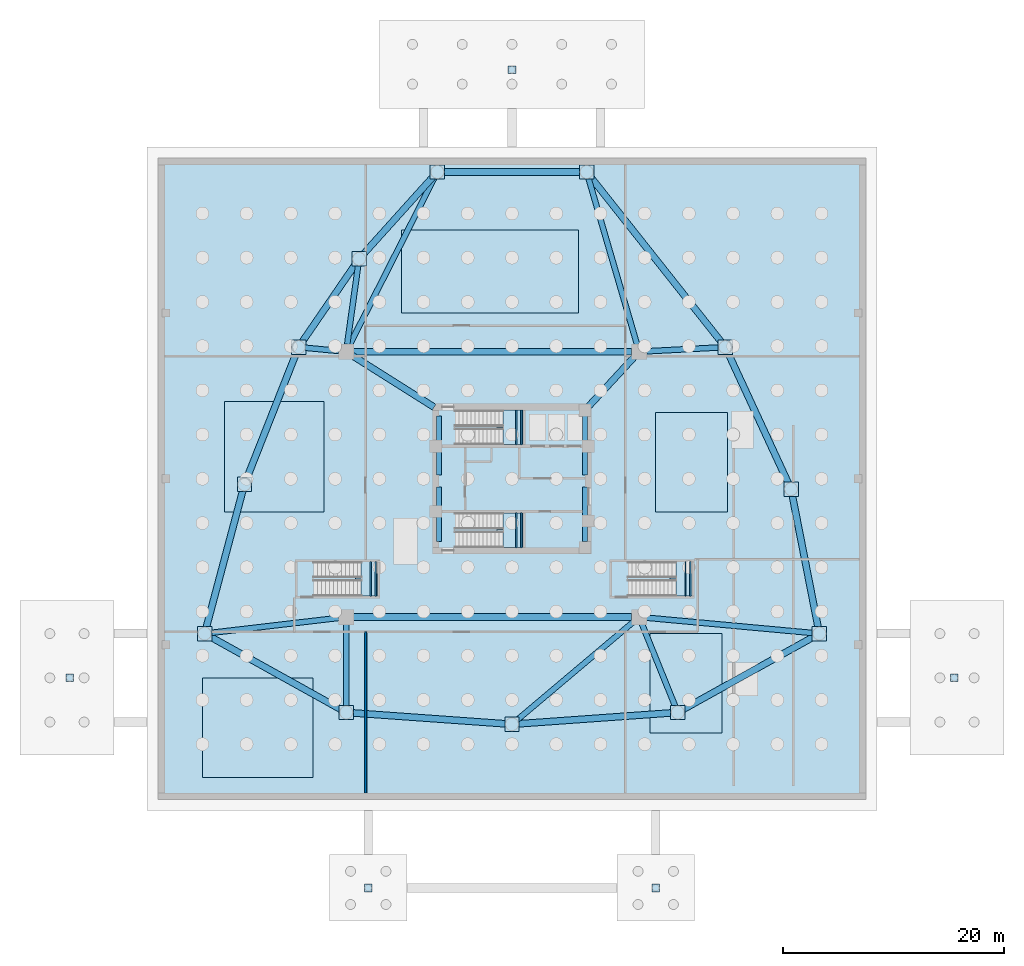
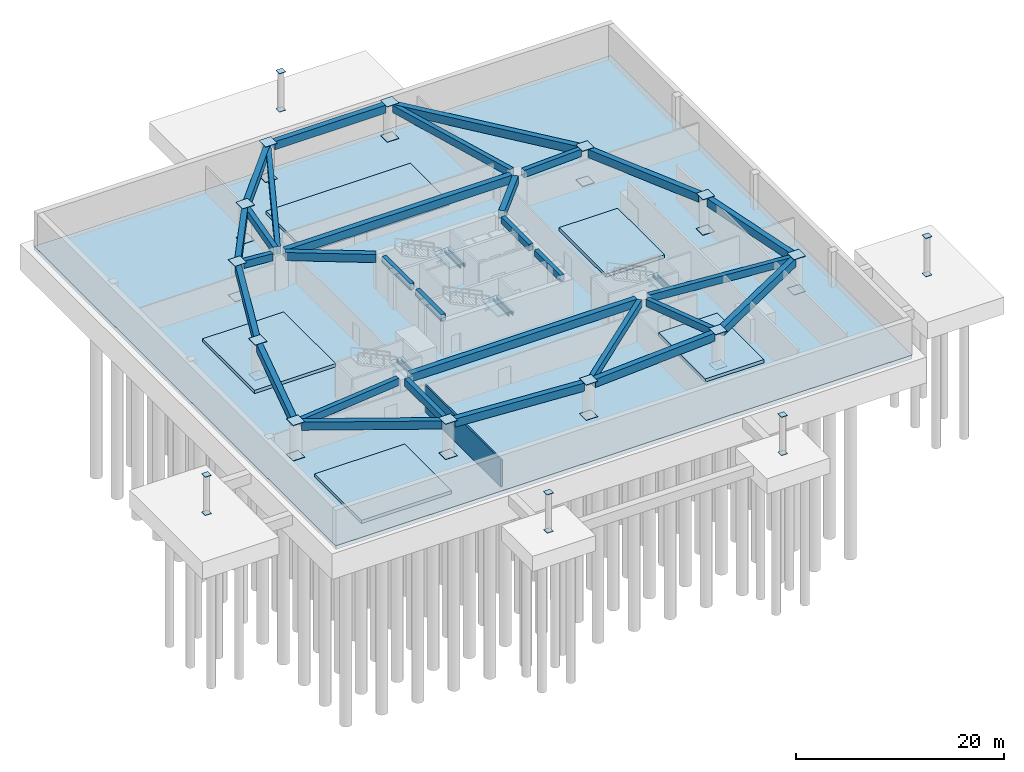
# One storey, part 5 of 11: 38 beams, 34 plates, 10 slabs, 1 wall, 4 elements without a shape of their own.
"""IFC4 building model written with IfcOpenShell, lengths in metres."""

from ifc_helpers import new_model, si_unit, direction, frame, frame_2d, origin, origin_2d, place, context, subcontext, project, spatial, polyline, rectangle, i_section, outline, extrude, source, transform, mapped, material, layer, layer_set, material_profile, profile_set, type_object, type_shapes, element, aggregate, save


model = new_model("IFC4")

# Units and contexts
model_context = context("Model", 3, precision=1e-05, world=origin(), true_north=direction((0.0, 1.0)))
body_context = subcontext(model_context, "Body", "Model", "MODEL_VIEW")
ifc_project = project(units=[si_unit("LENGTHUNIT", "METRE"), si_unit("AREAUNIT", "SQUARE_METRE"), si_unit("VOLUMEUNIT", "CUBIC_METRE"), si_unit("PLANEANGLEUNIT", "RADIAN"), si_unit("MASSUNIT", "GRAM", prefix="KILO")], contexts=[model_context])

# Site, building, storey
site_placement = place(None, origin())
site = spatial("IfcSite", under=ifc_project, at=site_placement, CompositionType="ELEMENT")
building_placement = place(site_placement, origin())
building = spatial("IfcBuilding", under=site, at=building_placement, Name="Tavelor Broadcast Tower", CompositionType="ELEMENT")
storey_placement = place(building_placement, frame((0.0, 0.0, -8.699951171875)))
storey = spatial("IfcBuildingStorey", under=building, at=storey_placement, Name="B02", CompositionType="ELEMENT", Elevation=-8.699951171875)

# Beams
ifc_material_1 = material(Name="Concrete C40/50", Category="concrete")
ifc_material_profile_1 = material_profile(ifc_material_1, rectangle(XDim=0.449951171875, YDim=0.75, at=origin_2d()), Name="RC 450x750")
ifc_profile_set_1 = profile_set([ifc_material_profile_1], Name="Concrete C40/50")
beam_type_1 = type_object("IfcBeamType", Name="Basement Core Trim Beam 450x750", PredefinedType="BEAM", material=ifc_profile_set_1)
for number, where, z_axis, x_axis, name in (
    (1, (43.39990234375, 45.327880859375, 3.77490234375), (0.0, 1.0, 0.0), (-1.0, 0.0, 0.0), "B02 Core West-N Tie Girder"),
    (2, (56.60009765625, 45.327880859375, 3.77490234375), (0.0, 1.0, 0.0), (-1.0, 0.0, 0.0), "B02 Core East-N Tie Girder"),
):
    element("IfcBeam", number, at=place(storey_placement, frame(where, z_axis=z_axis, x_axis=x_axis)), inside=storey, type_object=beam_type_1, Name=name, PredefinedType="BEAM", context=body_context, shape_type="SweptSolid", body=[
        extrude(rectangle(XDim=0.449951171875, YDim=0.75, at=origin_2d()), origin(), (0.0, 0.0, 1.0), 5.34423828125),
    ])
for number, where, z_axis, x_axis, name in (
    (3, (43.39990234375, 39.327880859375, 3.77490234375), (0.0, 1.0, 0.0), (-1.0, 0.0, 0.0), "B02 Core West-S Tie Girder"),
    (4, (56.60009765625, 39.327880859375, 3.77490234375), (0.0, 1.0, 0.0), (-1.0, 0.0, 0.0), "B02 Core East-S Tie Girder"),
):
    element("IfcBeam", number, at=place(storey_placement, frame(where, z_axis=z_axis, x_axis=x_axis)), inside=storey, type_object=beam_type_1, Name=name, PredefinedType="BEAM", context=body_context, shape_type="SweptSolid", body=[
        extrude(rectangle(XDim=0.449951171875, YDim=0.75, at=origin_2d()), origin(), (0.0, 0.0, 1.0), 4.944091796875),
    ])
ifc_material_profile_2 = material_profile(ifc_material_1, rectangle(XDim=0.60009765625, YDim=0.949951171875, at=origin_2d()), Name="RC 600x950")
ifc_profile_set_2 = profile_set([ifc_material_profile_2], Name="Concrete C40/50")
beam_type_2 = type_object("IfcBeamType", Name="Basement RC Primary Girder 600x950", PredefinedType="BEAM", material=ifc_profile_set_2)
for number, where, z_axis, x_axis, name in (
    (5, (35.679931640625, 32.5, 3.675048828125), (1.0, 0.0, 0.0), (0.0, 1.0, 0.0), "B02 Inner Ring Girder 1"),
    (6, (60.820068359375, 56.5, 3.675048828125), (-1.0, 0.0, 0.0), (0.0, -1.0, 0.0), "B02 Inner Ring Girder 3"),
):
    element("IfcBeam", number, at=place(storey_placement, frame(where, z_axis=z_axis, x_axis=x_axis)), inside=storey, type_object=beam_type_2, Name=name, PredefinedType="BEAM", context=body_context, shape_type="SweptSolid", body=[
        extrude(rectangle(XDim=0.60009765625, YDim=0.949951171875, at=origin_2d()), origin(), (0.0, 0.0, 1.0), 25.14013671875),
    ])
beam_1_placement = place(storey_placement, frame((61.038330078125, 56.000732421875, 3.675048828125), z_axis=(-0.678838365395, -0.734287732205, 0.0), x_axis=(0.734287732205, -0.678838365395, 0.0)))
element("IfcBeam", 7, at=beam_1_placement, inside=storey, type_object=beam_type_2, Name="B02 Core Radial Girder 3", PredefinedType="BEAM", context=body_context, shape_type="SweptSolid", body=[
    extrude(rectangle(XDim=0.60009765625, YDim=0.949951171875, at=origin_2d()), origin(), (0.0, 0.0, 1.0), 6.010009765625),
])
beam_2_placement = place(storey_placement, frame((35.5751953125, 56.13720703125, 3.675048828125), z_axis=(0.845723551993, -0.533621282938, 0.0), x_axis=(0.533621282938, 0.845723551993, 0.0)))
element("IfcBeam", 8, at=beam_2_placement, inside=storey, type_object=beam_type_2, Name="B02 Core Radial Girder 4", PredefinedType="BEAM", context=body_context, shape_type="SweptSolid", body=[
    extrude(rectangle(XDim=0.60009765625, YDim=0.949951171875, at=origin_2d()), origin(), (0.0, 0.0, 1.0), 8.724365234375),
])
beam_3_placement = place(storey_placement, frame((42.85888671875, 72.320068359375, 3.675048828125), z_axis=(-0.669215412935, -0.74306845653, 0.0), x_axis=(0.74306845653, -0.669215412935, 0.0)))
element("IfcBeam", 9, at=beam_3_placement, inside=storey, type_object=beam_type_2, Name="B02 Outer Ring Girder 1", PredefinedType="BEAM", context=body_context, shape_type="SweptSolid", body=[
    extrude(rectangle(XDim=0.60009765625, YDim=0.949951171875, at=origin_2d()), origin(), (0.0, 0.0, 1.0), 9.414794921875),
])
beam_4_placement = place(storey_placement, frame((35.84228515625, 64.414794921875, 3.675048828125), z_axis=(-0.565364008772, -0.82484152271, 0.0), x_axis=(0.82484152271, -0.565364008772, 0.0)))
element("IfcBeam", 10, at=beam_4_placement, inside=storey, type_object=beam_type_2, Name="B02 Outer Ring Girder 2", PredefinedType="BEAM", context=body_context, shape_type="SweptSolid", body=[
    extrude(rectangle(XDim=0.60009765625, YDim=0.949951171875, at=origin_2d()), origin(), (0.0, 0.0, 1.0), 8.516845703125),
])
beam_5_placement = place(storey_placement, frame((30.486083984375, 56.37158203125, 3.675048828125), z_axis=(-0.367164709683, -0.930155941745, 0.0), x_axis=(0.930155941745, -0.367164709683, 0.0)))
element("IfcBeam", 11, at=beam_5_placement, inside=storey, type_object=beam_type_2, Name="B02 Outer Ring Girder 3", PredefinedType="BEAM", context=body_context, shape_type="SweptSolid", body=[
    extrude(rectangle(XDim=0.60009765625, YDim=0.949951171875, at=origin_2d()), origin(), (0.0, 0.0, 1.0), 12.182861328125),
])
beam_6_placement = place(storey_placement, frame((25.650634765625, 43.939697265625, 3.675048828125), z_axis=(-0.257669766751, -0.966233041922, 0.0), x_axis=(0.966233041922, -0.257669766751, 0.0)))
element("IfcBeam", 12, at=beam_6_placement, inside=storey, type_object=beam_type_2, Name="B02 Outer Ring Girder 4", PredefinedType="BEAM", context=body_context, shape_type="SweptSolid", body=[
    extrude(rectangle(XDim=0.60009765625, YDim=0.949951171875, at=origin_2d()), origin(), (0.0, 0.0, 1.0), 12.81201171875),
])
beam_7_placement = place(storey_placement, frame((22.706787109375, 30.718017578125, 3.675048828125), z_axis=(0.873837244076, -0.486218542289, 0.0), x_axis=(0.486218542289, 0.873837244076, 0.0)))
element("IfcBeam", 13, at=beam_7_placement, inside=storey, type_object=beam_type_2, Name="B02 Outer Ring Girder 5", PredefinedType="BEAM", context=body_context, shape_type="SweptSolid", body=[
    extrude(rectangle(XDim=0.60009765625, YDim=0.949951171875, at=origin_2d()), origin(), (0.0, 0.0, 1.0), 13.501953125),
])
for number, where, z_axis, x_axis, name in (
    (14, (35.590576171875, 23.82958984375, 3.675048828125), (0.997456822591, -0.07127332647, 0.0), (0.07127332647, 0.997456822591, 0.0), "B02 Outer Ring Girder 6"),
    (15, (50.57861328125, 22.84130859375, 3.675048828125), (0.997456822591, 0.07127332647, 0.0), (-0.07127332647, 0.997456822591, 0.0), "B02 Outer Ring Girder 7"),
):
    element("IfcBeam", number, at=place(storey_placement, frame(where, z_axis=z_axis, x_axis=x_axis)), inside=storey, type_object=beam_type_2, Name=name, PredefinedType="BEAM", context=body_context, shape_type="SweptSolid", body=[
        extrude(rectangle(XDim=0.60009765625, YDim=0.949951171875, at=origin_2d()), origin(), (0.0, 0.0, 1.0), 13.865966796875),
    ])
beam_8_placement = place(storey_placement, frame((65.49462890625, 24.153076171875, 3.675048828125), z_axis=(0.873837244076, 0.486218542289, 0.0), x_axis=(-0.486218542289, 0.873837244076, 0.0)))
element("IfcBeam", 16, at=beam_8_placement, inside=storey, type_object=beam_type_2, Name="B02 Outer Ring Girder 8", PredefinedType="BEAM", context=body_context, shape_type="SweptSolid", body=[
    extrude(rectangle(XDim=0.60009765625, YDim=0.949951171875, at=origin_2d()), origin(), (0.0, 0.0, 1.0), 13.501953125),
])
beam_9_placement = place(storey_placement, frame((77.688720703125, 31.569091796875, 3.675048828125), z_axis=(-0.192144879801, 0.981366570231, 0.0), x_axis=(-0.981366570231, -0.192144879801, 0.0)))
element("IfcBeam", 17, at=beam_9_placement, inside=storey, type_object=beam_type_2, Name="B02 Outer Ring Girder 9", PredefinedType="BEAM", context=body_context, shape_type="SweptSolid", body=[
    extrude(rectangle(XDim=0.60009765625, YDim=0.949951171875, at=origin_2d()), origin(), (0.0, 0.0, 1.0), 12.158447265625),
])
beam_10_placement = place(storey_placement, frame((74.997802734375, 44.596435546875, 3.675048828125), z_axis=(-0.419873312524, 0.90758272429, 0.0), x_axis=(-0.90758272429, -0.419873312524, 0.0)))
element("IfcBeam", 18, at=beam_10_placement, inside=storey, type_object=beam_type_2, Name="B02 Outer Ring Girder 10", PredefinedType="BEAM", context=body_context, shape_type="SweptSolid", body=[
    extrude(rectangle(XDim=0.60009765625, YDim=0.949951171875, at=origin_2d()), origin(), (0.0, 0.0, 1.0), 12.98876953125),
])
beam_11_placement = place(storey_placement, frame((68.940673828125, 57.36572265625, 3.675048828125), z_axis=(-0.620945854653, 0.783853459257, 0.0), x_axis=(-0.783853459257, -0.620945854653, 0.0)))
element("IfcBeam", 19, at=beam_11_placement, inside=storey, type_object=beam_type_2, Name="B02 Outer Ring Girder 11", PredefinedType="BEAM", context=body_context, shape_type="SweptSolid", body=[
    extrude(rectangle(XDim=0.60009765625, YDim=0.949951171875, at=origin_2d()), origin(), (0.0, 0.0, 1.0), 19.0478515625),
])
beam_12_placement = place(storey_placement, frame((56.1728515625, 72.7509765625, 3.675048828125), z_axis=(-1.0, 0.0, 0.0), x_axis=(0.0, -1.0, 0.0)))
element("IfcBeam", 20, at=beam_12_placement, inside=storey, type_object=beam_type_2, Name="B02 Outer Ring Girder 12", PredefinedType="BEAM", context=body_context, shape_type="SweptSolid", body=[
    extrude(rectangle(XDim=0.60009765625, YDim=0.949951171875, at=origin_2d()), origin(), (0.0, 0.0, 1.0), 12.345703125),
])
ifc_material_profile_3 = material_profile(ifc_material_1, rectangle(XDim=0.5, YDim=0.85009765625, at=origin_2d()), Name="RC 500x850")
ifc_profile_set_3 = profile_set([ifc_material_profile_3], Name="Concrete C40/50")
beam_type_3 = type_object("IfcBeamType", Name="Basement RC Secondary Beam 500x850", PredefinedType="BEAM", material=ifc_profile_set_3)
beam_13_placement = place(storey_placement, frame((35.3076171875, 57.1064453125, 3.724853515625), z_axis=(0.45254782721, 0.891740132599, 0.0), x_axis=(-0.891740132599, 0.45254782721, 0.0)))
element("IfcBeam", 21, at=beam_13_placement, inside=storey, type_object=beam_type_3, Name="B02 Radial Spoke Girder 1", PredefinedType="BEAM", context=body_context, shape_type="SweptSolid", body=[
    extrude(rectangle(XDim=0.5, YDim=0.85009765625, at=origin_2d()), origin(), (0.0, 0.0, 1.0), 16.9638671875),
])
beam_14_placement = place(storey_placement, frame((35.093994140625, 57.173583984375, 3.724853515625), z_axis=(0.138070971987, 0.990422337538, 0.0), x_axis=(-0.990422337538, 0.138070971987, 0.0)))
element("IfcBeam", 22, at=beam_14_placement, inside=storey, type_object=beam_type_3, Name="B02 Radial Spoke Girder 2", PredefinedType="BEAM", context=body_context, shape_type="SweptSolid", body=[
    extrude(rectangle(XDim=0.5, YDim=0.85009765625, at=origin_2d()), origin(), (0.0, 0.0, 1.0), 7.21435546875),
])
beam_15_placement = place(storey_placement, frame((34.322998046875, 56.564697265625, 3.724853515625), z_axis=(-0.995460626314, 0.095174268889, 0.0), x_axis=(-0.095174268889, -0.995460626314, 0.0)))
element("IfcBeam", 23, at=beam_15_placement, inside=storey, type_object=beam_type_3, Name="B02 Radial Spoke Girder 3", PredefinedType="BEAM", context=body_context, shape_type="SweptSolid", body=[
    extrude(rectangle(XDim=0.5, YDim=0.85009765625, at=origin_2d()), origin(), (0.0, 0.0, 1.0), 3.060302734375),
])
beam_16_placement = place(storey_placement, frame((34.32470703125, 32.4208984375, 3.724853515625), z_axis=(-0.993201817643, -0.116405109127, 0.0), x_axis=(0.116405109127, -0.993201817643, 0.0)))
element("IfcBeam", 24, at=beam_16_placement, inside=storey, type_object=beam_type_3, Name="B02 Radial Spoke Girder 5", PredefinedType="BEAM", context=body_context, shape_type="SweptSolid", body=[
    extrude(rectangle(XDim=0.5, YDim=0.85009765625, at=origin_2d()), origin(), (0.0, 0.0, 1.0), 11.627685546875),
])
beam_17_placement = place(storey_placement, frame((35.0009765625, 31.820068359375, 3.724853515625), z_axis=(0.00139146433, -0.999999031913, 0.0), x_axis=(0.999999031913, 0.00139146433, 0.0)))
element("IfcBeam", 25, at=beam_17_placement, inside=storey, type_object=beam_type_3, Name="B02 Radial Spoke Girder 6", PredefinedType="BEAM", context=body_context, shape_type="SweptSolid", body=[
    extrude(rectangle(XDim=0.5, YDim=0.85009765625, at=origin_2d()), origin(), (0.0, 0.0, 1.0), 7.369140625),
])
beam_18_placement = place(storey_placement, frame((60.980224609375, 32.0615234375, 3.724853515625), z_axis=(-0.764399771003, -0.644742576608, 0.0), x_axis=(0.644742576608, -0.764399771003, 0.0)))
element("IfcBeam", 26, at=beam_18_placement, inside=storey, type_object=beam_type_3, Name="B02 Radial Spoke Girder 7", PredefinedType="BEAM", context=body_context, shape_type="SweptSolid", body=[
    extrude(rectangle(XDim=0.5, YDim=0.85009765625, at=origin_2d()), origin(), (0.0, 0.0, 1.0), 13.784423828125),
])
beam_19_placement = place(storey_placement, frame((61.7548828125, 31.86962890625, 3.724853515625), z_axis=(0.374735912078, -0.927131595945, 0.0), x_axis=(0.927131595945, 0.374735912078, 0.0)))
element("IfcBeam", 27, at=beam_19_placement, inside=storey, type_object=beam_type_3, Name="B02 Radial Spoke Girder 8", PredefinedType="BEAM", context=body_context, shape_type="SweptSolid", body=[
    extrude(rectangle(XDim=0.5, YDim=0.85009765625, at=origin_2d()), origin(), (0.0, 0.0, 1.0), 8.04736328125),
])
beam_20_placement = place(storey_placement, frame((62.177001953125, 32.437744140625, 3.724853515625), z_axis=(0.995791126224, -0.09165169357, 0.0), x_axis=(0.09165169357, 0.995791126224, 0.0)))
element("IfcBeam", 28, at=beam_20_placement, inside=storey, type_object=beam_type_3, Name="B02 Radial Spoke Girder 9", PredefinedType="BEAM", context=body_context, shape_type="SweptSolid", body=[
    extrude(rectangle(XDim=0.5, YDim=0.85009765625, at=origin_2d()), origin(), (0.0, 0.0, 1.0), 15.10888671875),
])
beam_21_placement = place(storey_placement, frame((62.17919921875, 56.535888671875, 3.724853515625), z_axis=(0.998614739388, 0.052617509218, 0.0), x_axis=(-0.052617509218, 0.998614739388, 0.0)))
element("IfcBeam", 29, at=beam_21_placement, inside=storey, type_object=beam_type_3, Name="B02 Radial Spoke Girder 11", PredefinedType="BEAM", context=body_context, shape_type="SweptSolid", body=[
    extrude(rectangle(XDim=0.5, YDim=0.85009765625, at=origin_2d()), origin(), (0.0, 0.0, 1.0), 6.551513671875),
])
beam_22_placement = place(storey_placement, frame((61.309326171875, 57.152587890625, 3.724853515625), z_axis=(-0.280403801571, 0.959882132381, 0.0), x_axis=(-0.959882132381, -0.280403801571, 0.0)))
element("IfcBeam", 30, at=beam_22_placement, inside=storey, type_object=beam_type_3, Name="B02 Radial Spoke Girder 12", PredefinedType="BEAM", context=body_context, shape_type="SweptSolid", body=[
    extrude(rectangle(XDim=0.5, YDim=0.85009765625, at=origin_2d()), origin(), (0.0, 0.0, 1.0), 15.67041015625),
])
ifc_material_2 = material(Name="Steel S355", Category="steel")
ifc_material_profile_4 = material_profile(ifc_material_2, i_section(OverallWidth=0.1201171875, OverallDepth=0.239990234375, WebThickness=0.006103515625, FlangeThickness=0.009765625, at=origin_2d()), Name="IPE 240")
ifc_profile_set_4 = profile_set([ifc_material_profile_4], Name="Steel S355")
beam_type_4 = type_object("IfcBeamType", Name="Stairwell Landing Support Trimmer Beam IPE240", PredefinedType="BEAM", material=ifc_profile_set_4)
for number, where, z_axis, x_axis, name in (
    (31, (50.385009765625, 48.06005859375, 1.93505859375), (0.0, 1.0, 0.0), (-1.0, 0.0, 0.0), "B02 Stair Landing Support Beam 1"),
    (32, (50.824951171875, 48.06005859375, 1.93505859375), (0.0, 1.0, 0.0), (-1.0, 0.0, 0.0), "B02 Stair Landing Support Beam 2"),
    (33, (50.385009765625, 38.760009765625, 1.93505859375), (0.0, 1.0, 0.0), (-1.0, 0.0, 0.0), "B02 Stair Landing Support Beam 215"),
    (34, (50.824951171875, 38.760009765625, 1.93505859375), (0.0, 1.0, 0.0), (-1.0, 0.0, 0.0), "B02 Stair Landing Support Beam 216"),
    (35, (37.235107421875, 34.360107421875, 1.93505859375), (0.0, 1.0, 0.0), (-1.0, 0.0, 0.0), "B02 Stair Landing Support Beam 411"),
    (36, (37.675048828125, 34.360107421875, 1.93505859375), (0.0, 1.0, 0.0), (-1.0, 0.0, 0.0), "B02 Stair Landing Support Beam 412"),
    (37, (65.68505859375, 34.360107421875, 1.93505859375), (0.0, 1.0, 0.0), (-1.0, 0.0, 0.0), "B02 Stair Landing Support Beam 439"),
    (38, (66.125, 34.360107421875, 1.93505859375), (0.0, 1.0, 0.0), (-1.0, 0.0, 0.0), "B02 Stair Landing Support Beam 440"),
):
    element("IfcBeam", number, at=place(storey_placement, frame(where, z_axis=z_axis, x_axis=x_axis)), inside=storey, type_object=beam_type_4, Name=name, PredefinedType="BEAM", context=body_context, shape_type="SweptSolid", body=[
        extrude(i_section(OverallWidth=0.1201171875, OverallDepth=0.239990234375, WebThickness=0.006103515625, FlangeThickness=0.009765625, at=origin_2d()), origin(), (0.0, 0.0, 1.0), 3.179931640625),
    ])

# Slab
ifc_layer_1 = layer(ifc_material_1, 0.449951171875)
ifc_layer_set_1 = layer_set([ifc_layer_1], Name="Concrete C40/50")
slab_type_1 = type_object("IfcSlabType", Name="Basement Sub-Base Slab 450 mm", PredefinedType="BASESLAB", material=ifc_layer_set_1)
slab_1_placement = place(storey_placement, frame((0.0, 0.0, -0.449951171875)))
element("IfcSlab", 39, at=slab_1_placement, inside=storey, type_object=slab_type_1, Name="B02 Structural Floor Slab", PredefinedType="BASESLAB", context=body_context, shape_type="SweptSolid", body=[
    extrude(outline(polyline([(18.0, 16.0), (82.0, 16.0), (82.0, 74.0), (18.0, 74.0), (18.0, 16.0)])), origin(), (0.0, 0.0, 1.0), 0.449951171875),
])

# Stair, slab
stair_type = type_object("IfcStairType", Name="Reinforced Concrete Protected Dogleg Stair 1450 mm", PredefinedType="HALF_TURN_STAIR", material=ifc_material_1)
stair_1_placement = place(storey_placement, origin())
stair_1 = element("IfcStair", 40, at=stair_1_placement, inside=storey, type_object=stair_type, Name="B02 Protected Core Exit Stair ST1", PredefinedType="HALF_TURN_STAIR")
ifc_layer_2 = layer(ifc_material_1, 0.199951171875)
ifc_layer_set_2 = layer_set([ifc_layer_2], Name="Concrete C40/50")
slab_type_2 = type_object("IfcSlabType", Name="Reinforced Concrete Stair Half-Landing Slab 200 mm", PredefinedType="LANDING", material=ifc_layer_set_2)
slab_2_placement = place(storey_placement, frame((0.0, 0.0, 2.050048828125)))
slab_2 = element("IfcSlab", 41, at=slab_2_placement, type_object=slab_type_2, Name="ST1 landing 1", PredefinedType="LANDING", context=body_context, shape_type="SweptSolid", body=[
    extrude(outline(polyline([(49.1650390625, 49.590087890625), (49.1650390625, 48.094970703125), (51.0048828125, 48.094970703125), (51.0048828125, 51.205078125), (49.1650390625, 51.205078125), (49.1650390625, 49.7099609375), (48.625, 49.7099609375), (48.625, 49.590087890625), (49.1650390625, 49.590087890625)])), origin(), (0.0, 0.0, 1.0), 0.199951171875),
])
aggregate(stair_1, [slab_2])

stair_2_placement = place(storey_placement, origin())
stair_2 = element("IfcStair", 42, at=stair_2_placement, inside=storey, type_object=stair_type, Name="B02 Protected Core Exit Stair ST2", PredefinedType="HALF_TURN_STAIR")
slab_3_placement = place(storey_placement, frame((0.0, 0.0, 2.050048828125)))
slab_3 = element("IfcSlab", 43, at=slab_3_placement, type_object=slab_type_2, Name="ST2 landing 1", PredefinedType="LANDING", context=body_context, shape_type="SweptSolid", body=[
    extrude(outline(polyline([(49.1650390625, 40.2900390625), (49.1650390625, 38.794921875), (51.0048828125, 38.794921875), (51.0048828125, 41.905029296875), (49.1650390625, 41.905029296875), (49.1650390625, 40.409912109375), (48.625, 40.409912109375), (48.625, 40.2900390625), (49.1650390625, 40.2900390625)])), origin(), (0.0, 0.0, 1.0), 0.199951171875),
])
aggregate(stair_2, [slab_3])

stair_3_placement = place(storey_placement, origin())
stair_3 = element("IfcStair", 44, at=stair_3_placement, inside=storey, type_object=stair_type, Name="B02 Podium West Exit Stair ST3", PredefinedType="HALF_TURN_STAIR")
slab_4_placement = place(storey_placement, frame((0.0, 0.0, 2.050048828125)))
slab_4 = element("IfcSlab", 45, at=slab_4_placement, type_object=slab_type_2, Name="ST3 landing 1", PredefinedType="LANDING", context=body_context, shape_type="SweptSolid", body=[
    extrude(outline(polyline([(36.364990234375, 35.889892578125), (36.364990234375, 34.39501953125), (37.85498046875, 34.39501953125), (37.85498046875, 37.5048828125), (36.364990234375, 37.5048828125), (36.364990234375, 36.010009765625), (35.824951171875, 36.010009765625), (35.824951171875, 35.889892578125), (36.364990234375, 35.889892578125)])), origin(), (0.0, 0.0, 1.0), 0.199951171875),
])
aggregate(stair_3, [slab_4])

stair_4_placement = place(storey_placement, origin())
stair_4 = element("IfcStair", 46, at=stair_4_placement, inside=storey, type_object=stair_type, Name="B02 Podium East Exit Stair ST4", PredefinedType="HALF_TURN_STAIR")
slab_5_placement = place(storey_placement, frame((0.0, 0.0, 2.050048828125)))
slab_5 = element("IfcSlab", 47, at=slab_5_placement, type_object=slab_type_2, Name="ST4 landing 1", PredefinedType="LANDING", context=body_context, shape_type="SweptSolid", body=[
    extrude(outline(polyline([(64.81494140625, 35.889892578125), (64.81494140625, 34.39501953125), (66.304931640625, 34.39501953125), (66.304931640625, 37.5048828125), (64.81494140625, 37.5048828125), (64.81494140625, 36.010009765625), (64.27490234375, 36.010009765625), (64.27490234375, 35.889892578125), (64.81494140625, 35.889892578125)])), origin(), (0.0, 0.0, 1.0), 0.199951171875),
])
aggregate(stair_4, [slab_5])

# Slabs
ifc_layer_3 = layer(ifc_material_1, 0.3798828125)
ifc_layer_set_3 = layer_set([ifc_layer_3], Name="Concrete C40/50")
slab_type_3 = type_object("IfcSlabType", Name="Studio Acoustic Floating Base Slab 380 mm", PredefinedType="BASESLAB", material=ifc_layer_set_3)
slab_6_placement = place(storey_placement, origin())
element("IfcSlab", 48, at=slab_6_placement, inside=storey, type_object=slab_type_3, Name="B02 Acoustic Equipment Isolation Plinth Base Slab 1", PredefinedType="BASESLAB", context=body_context, shape_type="SweptSolid", body=[
    extrude(outline(polyline([(32.0, 18.0), (32.0, 27.0), (22.0, 27.0), (22.0, 18.0), (32.0, 18.0)])), origin(), (0.0, 0.0, 1.0), 0.3798828125),
])
slab_7_placement = place(storey_placement, origin())
element("IfcSlab", 49, at=slab_7_placement, inside=storey, type_object=slab_type_3, Name="B02 Acoustic Equipment Isolation Plinth Base Slab 2", PredefinedType="BASESLAB", context=body_context, shape_type="SweptSolid", body=[
    extrude(outline(polyline([(69.0, 22.0), (69.0, 31.0), (62.5, 31.0), (62.5, 22.0), (69.0, 22.0)])), origin(), (0.0, 0.0, 1.0), 0.3798828125),
])
slab_8_placement = place(storey_placement, origin())
element("IfcSlab", 50, at=slab_8_placement, inside=storey, type_object=slab_type_3, Name="B02 Acoustic Equipment Isolation Plinth Base Slab 3", PredefinedType="BASESLAB", context=body_context, shape_type="SweptSolid", body=[
    extrude(outline(polyline([(56.0, 60.0), (56.0, 67.5), (40.0, 67.5), (40.0, 60.0), (56.0, 60.0)])), origin(), (0.0, 0.0, 1.0), 0.3798828125),
])
slab_9_placement = place(storey_placement, origin())
element("IfcSlab", 51, at=slab_9_placement, inside=storey, type_object=slab_type_3, Name="B02 Acoustic Equipment Isolation Plinth Base Slab 4", PredefinedType="BASESLAB", context=body_context, shape_type="SweptSolid", body=[
    extrude(outline(polyline([(33.0, 42.0), (33.0, 52.0), (24.0, 52.0), (24.0, 42.0), (33.0, 42.0)])), origin(), (0.0, 0.0, 1.0), 0.3798828125),
])
slab_10_placement = place(storey_placement, origin())
element("IfcSlab", 52, at=slab_10_placement, inside=storey, type_object=slab_type_3, Name="B02 Acoustic Equipment Isolation Plinth Base Slab 5", PredefinedType="BASESLAB", context=body_context, shape_type="SweptSolid", body=[
    extrude(outline(polyline([(69.5, 42.0), (69.5, 51.0), (63.0, 51.0), (63.0, 42.0), (69.5, 42.0)])), origin(), (0.0, 0.0, 1.0), 0.3798828125),
])

# Plates
ifc_material_3 = material(Name="Steel S460", Category="steel")
ifc_layer_4 = layer(ifc_material_3, 0.050048828125)
ifc_layer_set_4 = layer_set([ifc_layer_4], Name="Steel S460")
plate_type = type_object("IfcPlateType", Name="Tube Hollow-End Cap Plate KN05 700x700x50", PredefinedType="USERDEFINED", material=ifc_layer_set_4)
shared_shape_1 = source(origin(), body_context, "Body", "SweptSolid", [
    extrude(rectangle(XDim=1.299072265625, YDim=1.299072265625, at=origin_2d()), origin(), (0.0, 0.0, 1.0), 0.054931640625),
])
for number, where, z_axis, x_axis, name in (
    (53, (43.247314453125, 72.7509765625, -0.02734375), (0.0, 0.0, 1.0), (1.0, 0.0, 0.0), "B02 Hollow End Cap Plate KN05 #1"),
    (54, (43.247314453125, 72.7509765625, 4.12255859375), (0.0, 0.0, 1.0), (1.0, 0.0, 0.0), "B02 Hollow End Cap Plate KN05 #2"),
    (55, (36.170166015625, 64.893310546875, -0.02734375), (0.0, 0.0, 1.0), (1.0, 0.0, 0.0), "B02 Hollow End Cap Plate KN05 #3"),
    (56, (36.170166015625, 64.893310546875, 4.12255859375), (0.0, 0.0, 1.0), (1.0, 0.0, 0.0), "B02 Hollow End Cap Plate KN05 #4"),
    (57, (30.69921875, 56.9111328125, -0.02734375), (0.0, 0.0, 1.0), (1.0, 0.0, 0.0), "B02 Hollow End Cap Plate KN05 #5"),
    (58, (30.69921875, 56.9111328125, 4.12255859375), (0.0, 0.0, 1.0), (1.0, 0.0, 0.0), "B02 Hollow End Cap Plate KN05 #6"),
    (59, (25.800048828125, 44.5, -0.02734375), (0.0, 0.0, 1.0), (1.0, 0.0, 0.0), "B02 Hollow End Cap Plate KN05 #7"),
    (60, (25.800048828125, 44.5, 4.12255859375), (0.0, 0.0, 1.0), (1.0, 0.0, 0.0), "B02 Hollow End Cap Plate KN05 #8"),
    (61, (22.199951171875, 31.0, -0.02734375), (0.0, 0.0, 1.0), (1.0, 0.0, 0.0), "B02 Hollow End Cap Plate KN05 #9"),
    (62, (22.199951171875, 31.0, 4.12255859375), (0.0, 0.0, 1.0), (1.0, 0.0, 0.0), "B02 Hollow End Cap Plate KN05 #10"),
    (63, (35.01220703125, 23.87109375, -0.02734375), (0.0, 0.0, 1.0), (1.0, 0.0, 0.0), "B02 Hollow End Cap Plate KN05 #11"),
    (64, (35.01220703125, 23.87109375, 4.12255859375), (0.0, 0.0, 1.0), (1.0, 0.0, 0.0), "B02 Hollow End Cap Plate KN05 #12"),
    (65, (50.0, 22.800048828125, -0.02734375), (0.0, 0.0, 1.0), (1.0, 0.0, 0.0), "B02 Hollow End Cap Plate KN05 #13"),
    (66, (50.0, 22.800048828125, 4.12255859375), (0.0, 0.0, 1.0), (1.0, 0.0, 0.0), "B02 Hollow End Cap Plate KN05 #14"),
    (67, (64.98779296875, 23.87109375, -0.02734375), (0.0, 0.0, 1.0), (1.0, 0.0, 0.0), "B02 Hollow End Cap Plate KN05 #15"),
    (68, (64.98779296875, 23.87109375, 4.12255859375), (0.0, 0.0, 1.0), (1.0, 0.0, 0.0), "B02 Hollow End Cap Plate KN05 #16"),
    (69, (77.800048828125, 31.0, -0.02734375), (0.0, 0.0, 1.0), (1.0, 0.0, 0.0), "B02 Hollow End Cap Plate KN05 #17"),
    (70, (77.800048828125, 31.0, 4.12255859375), (0.0, 0.0, 1.0), (1.0, 0.0, 0.0), "B02 Hollow End Cap Plate KN05 #18"),
    (71, (75.2412109375, 44.070068359375, -0.02734375), (0.0, 0.0, 1.0), (1.0, 0.0, 0.0), "B02 Hollow End Cap Plate KN05 #19"),
    (72, (75.2412109375, 44.070068359375, 4.12255859375), (0.0, 0.0, 1.0), (1.0, 0.0, 0.0), "B02 Hollow End Cap Plate KN05 #20"),
    (73, (69.30078125, 56.9111328125, -0.02734375), (0.0, 0.0, 1.0), (1.0, 0.0, 0.0), "B02 Hollow End Cap Plate KN05 #21"),
    (74, (69.30078125, 56.9111328125, 4.12255859375), (0.0, 0.0, 1.0), (1.0, 0.0, 0.0), "B02 Hollow End Cap Plate KN05 #22"),
    (75, (56.752685546875, 72.7509765625, -0.02734375), (0.0, 0.0, 1.0), (1.0, 0.0, 0.0), "B02 Hollow End Cap Plate KN05 #23"),
    (76, (56.752685546875, 72.7509765625, 4.12255859375), (0.0, 0.0, 1.0), (1.0, 0.0, 0.0), "B02 Hollow End Cap Plate KN05 #24"),
):
    element("IfcPlate", number, at=place(storey_placement, frame(where, z_axis=z_axis, x_axis=x_axis)), inside=storey, type_object=plate_type, Name=name, ObjectType="CAP PLATE", PredefinedType="USERDEFINED", context=body_context, shape_type="MappedRepresentation", body=[
        mapped(shared_shape_1, transform((0.0, 0.0, 0.0), scale=1.0)),
    ])
shared_shape_2 = source(origin(), body_context, "Body", "SweptSolid", [
    extrude(rectangle(XDim=0.699951171875, YDim=0.699951171875, at=origin_2d()), origin(), (0.0, 0.0, 1.0), 0.054931640625),
])
type_shapes(plate_type, [shared_shape_1, shared_shape_2])
for number, where, z_axis, x_axis, name in (
    (77, (50.0, 82.0, -0.02734375), (0.0, 0.0, 1.0), (1.0, 0.0, 0.0), "B02 Hollow End Cap Plate KN05 #25"),
    (78, (50.0, 82.0, 4.47265625), (0.0, 0.0, 1.0), (1.0, 0.0, 0.0), "B02 Hollow End Cap Plate KN05 #26"),
    (79, (10.0, 27.0, -0.02734375), (0.0, 0.0, 1.0), (1.0, 0.0, 0.0), "B02 Hollow End Cap Plate KN05 #27"),
    (80, (10.0, 27.0, 4.47265625), (0.0, 0.0, 1.0), (1.0, 0.0, 0.0), "B02 Hollow End Cap Plate KN05 #28"),
    (81, (90.0, 27.0, -0.02734375), (0.0, 0.0, 1.0), (1.0, 0.0, 0.0), "B02 Hollow End Cap Plate KN05 #29"),
    (82, (90.0, 27.0, 4.47265625), (0.0, 0.0, 1.0), (1.0, 0.0, 0.0), "B02 Hollow End Cap Plate KN05 #30"),
    (83, (37.0, 8.0, -0.02734375), (0.0, 0.0, 1.0), (1.0, 0.0, 0.0), "B02 Hollow End Cap Plate KN05 #31"),
    (84, (37.0, 8.0, 4.47265625), (0.0, 0.0, 1.0), (1.0, 0.0, 0.0), "B02 Hollow End Cap Plate KN05 #32"),
    (85, (63.0, 8.0, -0.02734375), (0.0, 0.0, 1.0), (1.0, 0.0, 0.0), "B02 Hollow End Cap Plate KN05 #33"),
    (86, (63.0, 8.0, 4.47265625), (0.0, 0.0, 1.0), (1.0, 0.0, 0.0), "B02 Hollow End Cap Plate KN05 #34"),
):
    element("IfcPlate", number, at=place(storey_placement, frame(where, z_axis=z_axis, x_axis=x_axis)), inside=storey, type_object=plate_type, Name=name, ObjectType="CAP PLATE", PredefinedType="USERDEFINED", context=body_context, shape_type="MappedRepresentation", body=[
        mapped(shared_shape_2, transform((0.0, 0.0, 0.0), scale=1.0)),
    ])

# Wall
ifc_material_4 = material(Name="Calcium Silicate Fire Board 180 mm", Category="gypsum")
ifc_layer_5 = layer(ifc_material_4, 0.179931640625)
ifc_layer_set_5 = layer_set([ifc_layer_5], Name="Calcium Silicate Fire Board 180 mm")
wall_type = type_object("IfcWallType", Name="Fire-Rated Corridor Partition Wall 180 mm", PredefinedType="PARTITIONING", material=ifc_layer_set_5)
wall_placement = place(storey_placement, frame((36.75, 16.60009765625, 0.0), z_axis=(0.0, 0.0, 1.0), x_axis=(0.0, 1.0, 0.0)))
element("IfcWall", 87, at=wall_placement, inside=storey, type_object=wall_type, Name="B02 Chiller Plant East Wall", PredefinedType="PARTITIONING", context=body_context, shape_type="SweptSolid", body=[
    extrude(rectangle(XDim=14.5498046875, YDim=0.179931640625, at=frame_2d((7.27490234375, 0.0))), origin(), (0.0, 0.0, 1.0), 3.175048828125),
])

save(model, "model.ifc")
